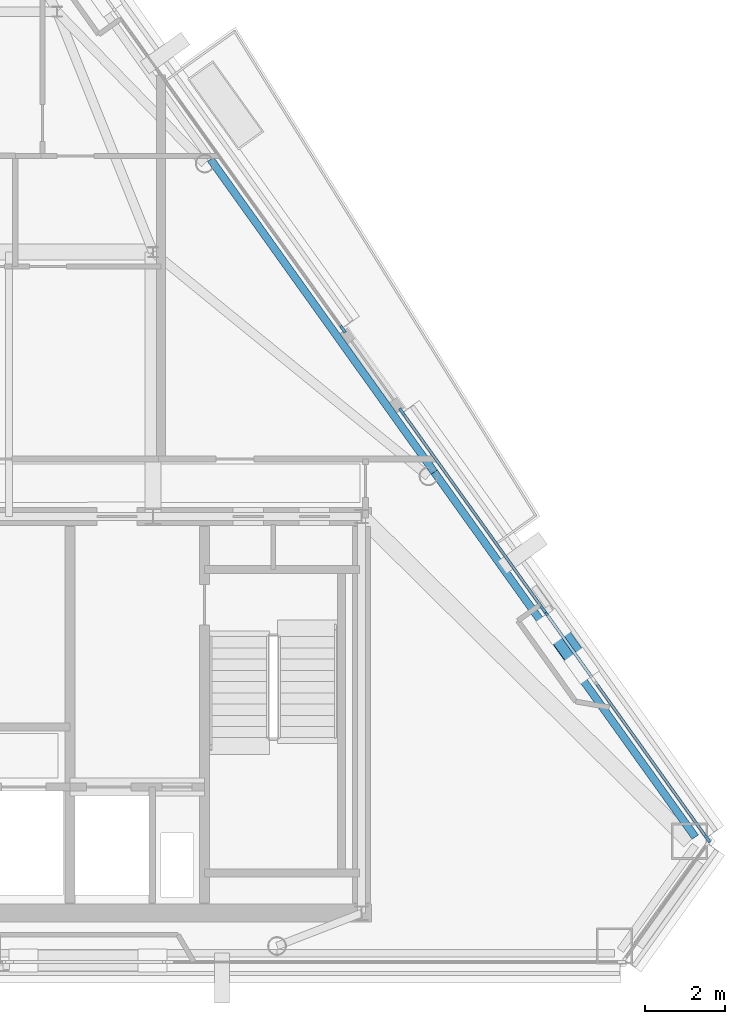
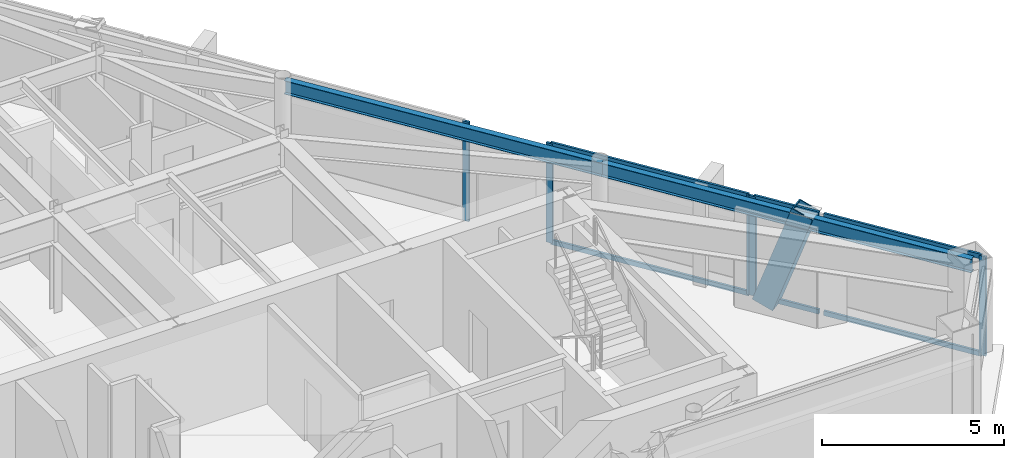
# One storey, part 6 of 12: 12 members, 2 beams, 4 elements without a shape of their own.
"""IFC4 building model written with IfcOpenShell, lengths in metres."""

import ifcopenshell
import ifcopenshell.guid

model = None  # the IFC model being written
_history = None  # IfcOwnerHistory: only IFC2X3 demands one
_inside = {}  # id of a spatial element -> (the spatial element, [elements in it])
_under = {}  # id of a project, library or spatial element -> (it, [spatial elements below it])
_declared = {}  # id of a project -> (the project, [libraries it declares])
_typed = {}  # id of a type object -> (the type object, [elements of that type])
_made_of = {}  # id of a material, layer set ... -> (it, [elements and type objects made of it])


def new_model(schema):
    """Start an empty IFC model of exactly this schema.

    Asked for "IFC4X3", IfcOpenShell would pick the latest addendum, in which some entities
    have other attributes; the version numbers below select the first issue.
    IFC2X3 requires an IfcOwnerHistory on every rooted entity: one is made here for all.
    """
    global model, _history
    if schema == "IFC4X3":
        model = ifcopenshell.file(schema_version=(4, 3, 0, 0))
    else:
        model = ifcopenshell.file(schema=schema)
    _inside.clear()
    _under.clear()
    _declared.clear()
    _typed.clear()
    _made_of.clear()
    _history = None
    if model.schema == "IFC2X3":
        org = make("IfcOrganization", Name="unknown")
        user = make(
            "IfcPersonAndOrganization",
            ThePerson=make("IfcPerson", FamilyName="unknown"),
            TheOrganization=org,
        )
        app = make(
            "IfcApplication",
            ApplicationDeveloper=org,
            Version="unknown",
            ApplicationFullName="unknown",
            ApplicationIdentifier="unknown",
        )
        _history = make(
            "IfcOwnerHistory",
            OwningUser=user,
            OwningApplication=app,
            ChangeAction="ADDED",
            CreationDate=0,
        )
    return model


def make(cls, **values):
    """One entity of the class cls with the attributes given. An attribute that is None is left unset."""
    return model.create_entity(
        cls, **{name: value for name, value in values.items() if value is not None}
    )


def rooted(cls, **values):
    """An entity with a GlobalId (a new one), such as an element, a storey or a relation."""
    return make(cls, GlobalId=ifcopenshell.guid.new(), OwnerHistory=_history, **values)


def si_unit(unit_type, name, prefix=None):
    """IfcSIUnit, for example si_unit("LENGTHUNIT", "METRE", prefix="MILLI")."""
    return make("IfcSIUnit", UnitType=unit_type, Prefix=prefix, Name=name)


def assignment(units):
    """IfcUnitAssignment: the units of a project."""
    return None if units is None else make("IfcUnitAssignment", Units=units)


def point(xyz):
    """IfcCartesianPoint."""
    return None if xyz is None else make("IfcCartesianPoint", Coordinates=xyz)


def direction(xyz):
    """IfcDirection."""
    return None if xyz is None else make("IfcDirection", DirectionRatios=xyz)


def frame(location, z_axis=None, x_axis=None):
    """IfcAxis2Placement3D, a coordinate frame: its origin and axes. An axis left out is left unset."""
    return make(
        "IfcAxis2Placement3D",
        Location=point(location),
        Axis=direction(z_axis),
        RefDirection=direction(x_axis),
    )


def frame_2d(location, x_axis=None):
    """IfcAxis2Placement2D, a coordinate frame in the plane: its origin and x axis."""
    return make(
        "IfcAxis2Placement2D", Location=point(location), RefDirection=direction(x_axis)
    )


def origin():
    """The frame at (0, 0, 0) with its axes left unset."""
    return frame((0.0, 0.0, 0.0))


def origin_2d():
    """The frame at (0, 0) in the plane with its x axis left unset."""
    return frame_2d((0.0, 0.0))


def place(relative_to, where):
    """IfcLocalPlacement: puts the frame where relative to a parent placement (None: the world)."""
    return make(
        "IfcLocalPlacement", PlacementRelTo=relative_to, RelativePlacement=where
    )


def context(
    kind, dimensions, precision=None, world=None, true_north=None, identifier=None
):
    """IfcGeometricRepresentationContext, for example the 3D "Model" context."""
    return make(
        "IfcGeometricRepresentationContext",
        ContextIdentifier=identifier,
        ContextType=kind,
        CoordinateSpaceDimension=dimensions,
        Precision=precision,
        WorldCoordinateSystem=world,
        TrueNorth=true_north,
    )


def subcontext(parent, identifier, kind, view, scale=None):
    """IfcGeometricRepresentationSubContext, for example "Body" below "Model"."""
    return make(
        "IfcGeometricRepresentationSubContext",
        ContextIdentifier=identifier,
        ContextType=kind,
        ParentContext=parent,
        TargetScale=scale,
        TargetView=view,
    )


def project(units=None, contexts=None):
    """IfcProject with its units and contexts."""
    return rooted(
        "IfcProject",
        Name="project",
        RepresentationContexts=contexts,
        UnitsInContext=assignment(units),
    )


def spatial(cls, under=None, at=None, **own):
    """A site, building, storey or space (cls), placed at a placement, below another one or the project."""
    s = rooted(cls, ObjectPlacement=at, **own)
    if under is not None:
        _under.setdefault(under.id(), (under, []))[1].append(s)
    return s


def profile(cls, at=None, kind="AREA", **sizes):
    """A parametric profile (cls). Its sizes go by their IFC names, for example OverallWidth=200.0."""
    return make(cls, ProfileType=kind, Position=at, **sizes)


def rectangle(**sizes):
    """IfcRectangleProfileDef."""
    return profile("IfcRectangleProfileDef", **sizes)


def hollow_rectangle(**sizes):
    """IfcRectangleHollowProfileDef."""
    return profile("IfcRectangleHollowProfileDef", **sizes)


def i_section(**sizes):
    """IfcIShapeProfileDef."""
    return profile("IfcIShapeProfileDef", **sizes)


def extrude(swept, where, along, depth):
    """IfcExtrudedAreaSolid: the profile swept, set in the frame where, extruded along a direction by depth."""
    return make(
        "IfcExtrudedAreaSolid",
        SweptArea=swept,
        Position=where,
        ExtrudedDirection=direction(along),
        Depth=depth,
    )


def shape(context_of_items, identifier, shape_type, items):
    """IfcShapeRepresentation: the items that make up one representation, for example the "Body"."""
    return make(
        "IfcShapeRepresentation",
        ContextOfItems=context_of_items,
        RepresentationIdentifier=identifier,
        RepresentationType=shape_type,
        Items=items,
    )


def material(Name=None, Category=None):
    """IfcMaterial."""
    return make("IfcMaterial", Name=Name, Category=Category)


def layer(
    of_material, thickness, ventilated=None, Name=None, Category=None, Priority=None
):
    """IfcMaterialLayer: one layer of a wall or slab, of a material (None: an air gap)."""
    return make(
        "IfcMaterialLayer",
        Material=of_material,
        LayerThickness=thickness,
        IsVentilated=ventilated,
        Name=Name,
        Category=Category,
        Priority=Priority,
    )


def layer_set(layers, Name=None):
    """IfcMaterialLayerSet."""
    return make("IfcMaterialLayerSet", MaterialLayers=layers, LayerSetName=Name)


def material_profile(
    of_material, cross_section, Name=None, Category=None, Priority=None
):
    """IfcMaterialProfile: a cross section and its material."""
    return make(
        "IfcMaterialProfile",
        Name=Name,
        Material=of_material,
        Profile=cross_section,
        Priority=Priority,
        Category=Category,
    )


def profile_set(profiles, Name=None, composite=None):
    """IfcMaterialProfileSet."""
    return make(
        "IfcMaterialProfileSet",
        Name=Name,
        MaterialProfiles=profiles,
        CompositeProfile=composite,
    )


def made_of(thing, what):
    """Note that an element or type object is made of a material, layer set ...; save() writes the relation."""
    if what is not None:
        _made_of.setdefault(what.id(), (what, []))[1].append(thing)
    return thing


def type_object(cls, material=None, **own):
    """A type object (cls), such as IfcWallType, which elements share."""
    return made_of(rooted(cls, **own), material)


def element(
    cls,
    number,
    at=None,
    inside=None,
    cuts=None,
    type_object=None,
    material=None,
    context=None,
    identifier="Body",
    shape_type=None,
    held_by="IfcProductDefinitionShape",
    body=None,
    shapes=None,
    **own,
):
    """One element of the class cls, such as IfcWall. Its Tag is "e" and its number.

    at: its placement. inside: the storey or other place that contains it. cuts: it is an
    opening in that element (IfcRelVoidsElement). A single representation is given by context,
    identifier, shape_type and body (its items); several are given by shapes. held_by: the class
    of the entity that holds the representations. save() writes the other relations.
    """
    e = rooted(cls, Tag="e%d" % number, ObjectPlacement=at, **own)
    if body is not None:
        shapes = [shape(context, identifier, shape_type, body)]
    if shapes is not None:
        e.Representation = make(held_by, Representations=shapes)
    if inside is not None:
        _inside.setdefault(inside.id(), (inside, []))[1].append(e)
    if cuts is not None:
        rooted(
            "IfcRelVoidsElement", RelatingBuildingElement=cuts, RelatedOpeningElement=e
        )
    if type_object is not None:
        _typed.setdefault(type_object.id(), (type_object, []))[1].append(e)
    return made_of(e, material)


def aggregate(whole, parts):
    """IfcRelAggregates: a whole, such as a stair, and the parts it consists of."""
    return rooted("IfcRelAggregates", RelatingObject=whole, RelatedObjects=parts)


def save(model, path):
    """Write the relations noted so far, then the file.

    IfcRelAggregates (storeys below a building ...), IfcRelContainedInSpatialStructure (elements
    in a storey), IfcRelDefinesByType, IfcRelAssociatesMaterial and IfcRelDeclares: one each for
    every whole, place, type object, material and project.
    """
    for whole, parts in _under.values():
        aggregate(whole, parts)
    for where, things in _inside.values():
        rooted(
            "IfcRelContainedInSpatialStructure",
            RelatedElements=things,
            RelatingStructure=where,
        )
    for kind, things in _typed.values():
        rooted("IfcRelDefinesByType", RelatedObjects=things, RelatingType=kind)
    for what, things in _made_of.values():
        rooted("IfcRelAssociatesMaterial", RelatedObjects=things, RelatingMaterial=what)
    for by, libraries in _declared.values():
        rooted("IfcRelDeclares", RelatingContext=by, RelatedDefinitions=libraries)
    model.write(path)


model = new_model("IFC4")

# Units and contexts
model_context = context("Model", 3, precision=1e-05, world=origin(), true_north=direction((0.0, 1.0)))
body_context = subcontext(model_context, "Body", "Model", "MODEL_VIEW")
ifc_project = project(units=[si_unit("LENGTHUNIT", "METRE"), si_unit("AREAUNIT", "SQUARE_METRE"), si_unit("VOLUMEUNIT", "CUBIC_METRE"), si_unit("PLANEANGLEUNIT", "RADIAN"), si_unit("MASSUNIT", "GRAM", prefix="KILO")], contexts=[model_context])

# Site, building, storey
site_placement = place(None, origin())
site = spatial("IfcSite", under=ifc_project, at=site_placement, CompositionType="ELEMENT")
building_placement = place(site_placement, origin())
building = spatial("IfcBuilding", under=site, at=building_placement, Name="Talgorran Terracotta Tower", CompositionType="ELEMENT")
storey_placement = place(building_placement, frame((0.0, 0.0, 267.0)))
storey = spatial("IfcBuildingStorey", under=building, at=storey_placement, Name="L70", CompositionType="ELEMENT", Elevation=267.0)

# Beams
ifc_material_1 = material(Name="Steel S355 (300PLUS)", Category="steel")
ifc_material_profile_1 = material_profile(ifc_material_1, i_section(OverallWidth=0.18994140625, OverallDepth=0.45703125, WebThickness=0.009033203125, FlangeThickness=0.014404296875, at=origin_2d()), Name="460UB74.6")
ifc_profile_set_1 = profile_set([ifc_material_profile_1], Name="Steel S355 (300PLUS)")
beam_type = type_object("IfcBeamType", Name="BM_SP_460UB74", PredefinedType="SPANDREL", material=ifc_profile_set_1)
beam_1_placement = place(storey_placement, frame((20.731201171875, -12.19873046875, 3.116455078125), z_axis=(-0.581724880889, 0.813385617622, 0.0), x_axis=(-0.813385617622, -0.581724880889, 0.0)))
element("IfcBeam", 1, at=beam_1_placement, inside=storey, type_object=beam_type, Name="L70 Perimeter Spandrel Beam MC4-FC3", PredefinedType="SPANDREL", context=body_context, shape_type="SweptSolid", body=[
    extrude(i_section(OverallWidth=0.18994140625, OverallDepth=0.45703125, WebThickness=0.009033203125, FlangeThickness=0.014404296875, at=origin_2d()), origin(), (0.0, 0.0, 1.0), 11.1962890625),
])
beam_2_placement = place(storey_placement, frame((14.218017578125, -3.091796875, 3.116455078125), z_axis=(-0.581733798122, 0.813379240037, 0.0), x_axis=(-0.813379240037, -0.581733798122, 0.0)))
element("IfcBeam", 2, at=beam_2_placement, inside=storey, type_object=beam_type, Name="L70 Perimeter Spandrel Beam FC3-FC4", PredefinedType="SPANDREL", context=body_context, shape_type="SweptSolid", body=[
    extrude(i_section(OverallWidth=0.18994140625, OverallDepth=0.45703125, WebThickness=0.009033203125, FlangeThickness=0.014404296875, at=origin_2d()), origin(), (0.0, 0.0, 1.0), 9.59716796875),
])

# Member
ifc_material_2 = material(Name="Steel Grade 350 (350L0)", Category="steel")
ifc_material_profile_2 = material_profile(ifc_material_2, hollow_rectangle(XDim=0.52001953125, YDim=0.659912109375, WallThickness=0.034912109375, at=origin_2d()), Name="WBOX660X520X35")
ifc_profile_set_2 = profile_set([ifc_material_profile_2], Name="Steel Grade 350 (350L0)")
member_type_1 = type_object("IfcMemberType", Name="MB_MEGA_660", PredefinedType="BRACE", material=ifc_profile_set_2)
member_1_placement = place(storey_placement, frame((17.197509765625, -6.9482421875, -0.02490234375), z_axis=(0.193842884076, -0.271068153387, 0.942839855178), x_axis=(0.813417169156, 0.581680762035, 0.0)))
element("IfcMember", 3, at=member_1_placement, inside=storey, type_object=member_type_1, Name="L70 Exterior Face Mega-Brace MB-3 (NEL)", PredefinedType="BRACE", context=body_context, shape_type="SweptSolid", body=[
    extrude(hollow_rectangle(XDim=0.52001953125, YDim=0.659912109375, WallThickness=0.034912109375, at=origin_2d()), origin(), (0.0, 0.0, 1.0), 3.600830078125),
])

# Curtain wall, member
ifc_material_3 = material(Name="High-Wind Unitised Glazing", Category="glass")
ifc_layer = layer(ifc_material_3, 0.2099609375, Name="CW_SYS3_RES_HIGH")
ifc_layer_set = layer_set([ifc_layer], Name="High-Wind Unitised Glazing")
curtain_wall_type = type_object("IfcCurtainWallType", Name="CW_SYS3_RES_HIGH", PredefinedType="NOTDEFINED", material=ifc_layer_set)
curtain_wall_1_placement = place(storey_placement, origin())
curtain_wall_1 = element("IfcCurtainWall", 4, at=curtain_wall_1_placement, inside=storey, type_object=curtain_wall_type, Name="CW-L70-F40", PredefinedType="NOTDEFINED")
ifc_material_4 = material(Name="Architectural Aluminium 6063-T6", Category="aluminium")
ifc_material_profile_3 = material_profile(ifc_material_4, rectangle(XDim=0.070068359375, YDim=0.199951171875, at=origin_2d()), Name="CWM70X200")
ifc_profile_set_3 = profile_set([ifc_material_profile_3], Name="Architectural Aluminium 6063-T6")
member_type_2 = type_object("IfcMemberType", Name="MUL_70X200", PredefinedType="MULLION", material=ifc_profile_set_3)
member_2_placement = place(storey_placement, frame((21.032958984375, -12.242431640625, 0.0), z_axis=(0.0, 0.0, 1.0), x_axis=(-0.813376636428, -0.581737438466, 0.0)))
member_2 = element("IfcMember", 5, at=member_2_placement, type_object=member_type_2, Name="CW-L70-40 mullion 1", PredefinedType="MULLION", context=body_context, shape_type="SweptSolid", body=[
    extrude(rectangle(XDim=0.070068359375, YDim=0.199951171875, at=origin_2d()), origin(), (0.0, 0.0, 1.0), 3.344970703125),
])

curtain_wall_2_placement = place(storey_placement, origin())
curtain_wall_2 = element("IfcCurtainWall", 6, at=curtain_wall_2_placement, inside=storey, type_object=curtain_wall_type, Name="CW-L70-F40B", PredefinedType="NOTDEFINED")
member_3_placement = place(storey_placement, frame((16.98486328125, -6.58251953125, 0.0), z_axis=(0.0, 0.0, 1.0), x_axis=(-0.813378256404, -0.581735173433, 0.0)))
member_3 = element("IfcMember", 7, at=member_3_placement, type_object=member_type_2, Name="CW-L70-40B mullion 2", PredefinedType="MULLION", context=body_context, shape_type="SweptSolid", body=[
    extrude(rectangle(XDim=0.070068359375, YDim=0.199951171875, at=origin_2d()), origin(), (0.0, 0.0, 1.0), 3.344970703125),
])

# Curtain wall, members
curtain_wall_3_placement = place(storey_placement, origin())
curtain_wall_3 = element("IfcCurtainWall", 8, at=curtain_wall_3_placement, inside=storey, type_object=curtain_wall_type, Name="CW-L70-F40C", PredefinedType="NOTDEFINED")
member_4_placement = place(storey_placement, frame((16.9384765625, -6.517333984375, 0.0), z_axis=(0.0, 0.0, 1.0), x_axis=(-0.813384266919, -0.581726769479, 0.0)))
member_4 = element("IfcMember", 9, at=member_4_placement, type_object=member_type_2, Name="CW-L70-40C mullion 1", PredefinedType="MULLION", context=body_context, shape_type="SweptSolid", body=[
    extrude(rectangle(XDim=0.070068359375, YDim=0.199951171875, at=origin_2d()), origin(), (0.0, 0.0, 1.0), 3.344970703125),
])
member_5_placement = place(storey_placement, frame((13.40966796875, -1.583251953125, 0.0), z_axis=(0.0, 0.0, 1.0), x_axis=(-0.813384266919, -0.581726769479, 0.0)))
member_5 = element("IfcMember", 10, at=member_5_placement, type_object=member_type_2, Name="CW-L70-40C mullion 2", PredefinedType="MULLION", context=body_context, shape_type="SweptSolid", body=[
    extrude(rectangle(XDim=0.070068359375, YDim=0.199951171875, at=origin_2d()), origin(), (0.0, 0.0, 1.0), 3.344970703125),
])

# Curtain wall, member
curtain_wall_4_placement = place(storey_placement, origin())
curtain_wall_4 = element("IfcCurtainWall", 11, at=curtain_wall_4_placement, inside=storey, type_object=curtain_wall_type, Name="CW-L70-F41", PredefinedType="NOTDEFINED")
member_6_placement = place(storey_placement, frame((11.937744140625, 0.474609375, 0.0), z_axis=(0.0, 0.0, 1.0), x_axis=(-0.813376628874, -0.581737449028, 0.0)))
member_6 = element("IfcMember", 12, at=member_6_placement, type_object=member_type_2, Name="CW-L70-41 mullion 1", PredefinedType="MULLION", context=body_context, shape_type="SweptSolid", body=[
    extrude(rectangle(XDim=0.070068359375, YDim=0.199951171875, at=origin_2d()), origin(), (0.0, 0.0, 1.0), 3.344970703125),
])
aggregate(curtain_wall_4, [member_6])

# Member
ifc_material_profile_4 = material_profile(ifc_material_4, rectangle(XDim=0.070068359375, YDim=0.159912109375, at=origin_2d()), Name="CWT70X160")
ifc_profile_set_4 = profile_set([ifc_material_profile_4], Name="Architectural Aluminium 6063-T6")
member_type_3 = type_object("IfcMemberType", Name="TRN_70X160", PredefinedType="USERDEFINED", material=ifc_profile_set_4)
member_7_placement = place(storey_placement, frame((21.0126953125, -12.214111328125, 0.034912109375), z_axis=(-0.581717771197, 0.813390702352, 0.0), x_axis=(-0.813390702352, -0.581717771197, 0.0)))
member_7 = element("IfcMember", 13, at=member_7_placement, type_object=member_type_3, Name="CW-L70-40 transom 1.1", ObjectType="TRANSOM", PredefinedType="USERDEFINED", context=body_context, shape_type="SweptSolid", body=[
    extrude(rectangle(XDim=0.070068359375, YDim=0.159912109375, at=origin_2d()), origin(), (0.0, 0.0, 1.0), 4.766357421875),
])

member_8_placement = place(storey_placement, frame((21.0126953125, -12.214111328125, 3.31005859375), z_axis=(-0.581717771197, 0.813390702352, 0.0), x_axis=(-0.813390702352, -0.581717771197, 0.0)))
member_8 = element("IfcMember", 14, at=member_8_placement, type_object=member_type_3, Name="CW-L70-40 transom 1.2", ObjectType="TRANSOM", PredefinedType="USERDEFINED", context=body_context, shape_type="SweptSolid", body=[
    extrude(rectangle(XDim=0.070068359375, YDim=0.159912109375, at=origin_2d()), origin(), (0.0, 0.0, 1.0), 4.766357421875),
])

aggregate(curtain_wall_1, [member_2, member_7, member_8])

member_9_placement = place(storey_placement, frame((18.152587890625, -8.215087890625, 0.034912109375), z_axis=(-0.581683076992, 0.813415513708, 0.0), x_axis=(-0.813415513708, -0.581683076992, 0.0)))
member_9 = element("IfcMember", 15, at=member_9_placement, type_object=member_type_3, Name="CW-L70-40B transom 1.1", ObjectType="TRANSOM", PredefinedType="USERDEFINED", context=body_context, shape_type="SweptSolid", body=[
    extrude(rectangle(XDim=0.070068359375, YDim=0.159912109375, at=origin_2d()), origin(), (0.0, 0.0, 1.0), 1.97216796875),
])

member_10_placement = place(storey_placement, frame((18.152587890625, -8.215087890625, 3.31005859375), z_axis=(-0.581683076992, 0.813415513708, 0.0), x_axis=(-0.813415513708, -0.581683076992, 0.0)))
member_10 = element("IfcMember", 16, at=member_10_placement, type_object=member_type_3, Name="CW-L70-40B transom 1.2", ObjectType="TRANSOM", PredefinedType="USERDEFINED", context=body_context, shape_type="SweptSolid", body=[
    extrude(rectangle(XDim=0.070068359375, YDim=0.159912109375, at=origin_2d()), origin(), (0.0, 0.0, 1.0), 1.97216796875),
])

aggregate(curtain_wall_2, [member_3, member_9, member_10])

member_11_placement = place(storey_placement, frame((16.91796875, -6.489013671875, 0.034912109375), z_axis=(-0.581715686371, 0.813392193367, 0.0), x_axis=(-0.813392193367, -0.581715686371, 0.0)))
member_11 = element("IfcMember", 17, at=member_11_placement, type_object=member_type_3, Name="CW-L70-40C transom 1.1", ObjectType="TRANSOM", PredefinedType="USERDEFINED", context=body_context, shape_type="SweptSolid", body=[
    extrude(rectangle(XDim=0.070068359375, YDim=0.159912109375, at=origin_2d()), origin(), (0.0, 0.0, 1.0), 5.99609375),
])

member_12_placement = place(storey_placement, frame((16.91796875, -6.489013671875, 3.31005859375), z_axis=(-0.581715686371, 0.813392193367, 0.0), x_axis=(-0.813392193367, -0.581715686371, 0.0)))
member_12 = element("IfcMember", 18, at=member_12_placement, type_object=member_type_3, Name="CW-L70-40C transom 1.2", ObjectType="TRANSOM", PredefinedType="USERDEFINED", context=body_context, shape_type="SweptSolid", body=[
    extrude(rectangle(XDim=0.070068359375, YDim=0.159912109375, at=origin_2d()), origin(), (0.0, 0.0, 1.0), 5.99609375),
])

aggregate(curtain_wall_3, [member_4, member_5, member_11, member_12])

save(model, "model.ifc")
